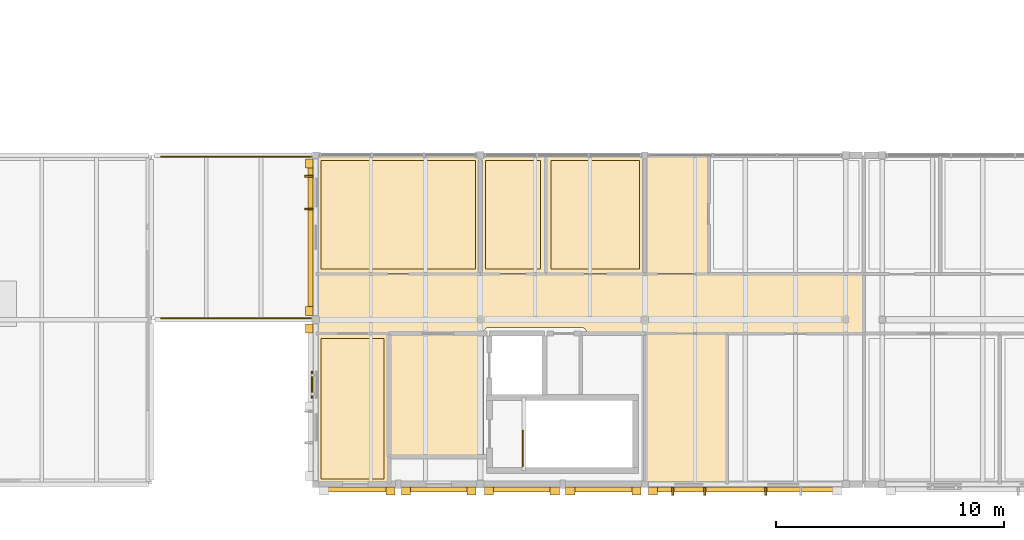
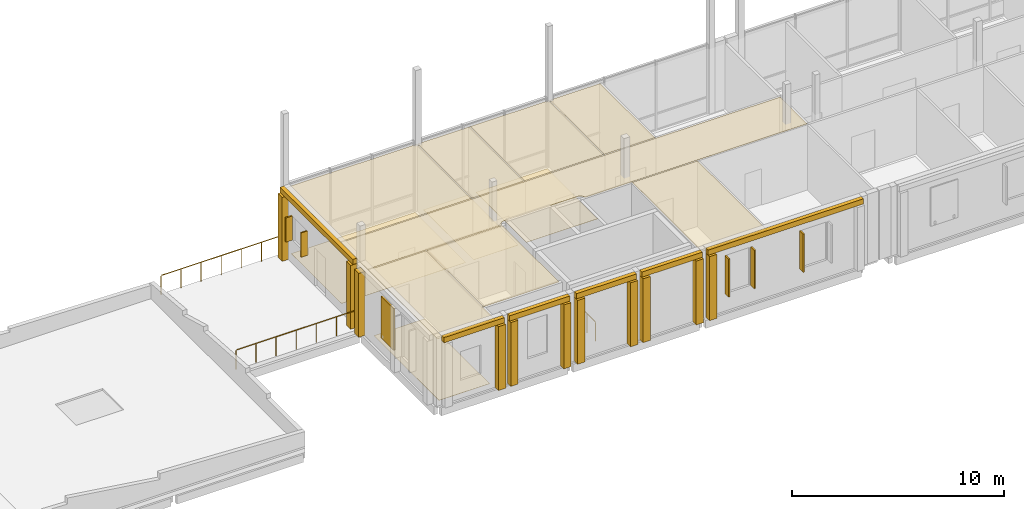
# One storey, part 51 of 57: 29 coverings, 6 shading devices, 3 railings.
"""IFC4 building model written with IfcOpenShell, lengths in metres."""

from ifc_helpers import new_model, si_unit, direction, frame, origin, origin_2d, place, context, subcontext, project, spatial, polyline, rectangle, circle, outline, extrude, material, layer, layer_set, type_object, element, save


model = new_model("IFC4")

# Units and contexts
model_context = context("Model", 3, precision=1e-05, world=origin(), true_north=direction((0.0, 1.0)))
body_context = subcontext(model_context, "Body", "Model", "MODEL_VIEW")
ifc_project = project(units=[si_unit("LENGTHUNIT", "METRE"), si_unit("AREAUNIT", "SQUARE_METRE"), si_unit("VOLUMEUNIT", "CUBIC_METRE"), si_unit("PLANEANGLEUNIT", "RADIAN"), si_unit("MASSUNIT", "GRAM", prefix="KILO")], contexts=[model_context])

# Site, building, storey
site_placement = place(None, origin())
site = spatial("IfcSite", under=ifc_project, at=site_placement, CompositionType="ELEMENT")
building_placement = place(site_placement, origin())
building = spatial("IfcBuilding", under=site, at=building_placement, Name="Hawrajan Terrace Health Centre", CompositionType="ELEMENT")
storey_placement = place(building_placement, frame((0.0, 0.0, 13.199951171875)))
storey = spatial("IfcBuildingStorey", under=building, at=storey_placement, Name="L03", CompositionType="ELEMENT", Elevation=13.199951171875)

# Coverings
ifc_material_1 = material(Name="Precast concrete C40/50", Category="concrete")
ifc_layer_1 = layer(ifc_material_1, 0.219970703125)
ifc_layer_set_1 = layer_set([ifc_layer_1], Name="Precast concrete C40/50")
covering_type_1 = type_object("IfcCoveringType", Name="ArtDecoCorniceBand", PredefinedType="CLADDING", material=ifc_layer_set_1)
covering_1_placement = place(storey_placement, frame((49.610107421875, 3.965087890625, 3.68994140625), z_axis=(0.0, 0.0, 1.0), x_axis=(1.0, 0.0, 0.0)))
element("IfcCovering", 1, at=covering_1_placement, inside=storey, type_object=covering_type_1, Name="Art Deco limestone cornice band CRN-L03-0169", PredefinedType="CLADDING", context=body_context, shape_type="SweptSolid", body=[
    extrude(rectangle(XDim=3.300048828125, YDim=0.219970703125, at=origin_2d()), origin(), (0.0, 0.0, 1.0), 0.300048828125),
])
covering_2_placement = place(storey_placement, frame((53.179931640625, 3.965087890625, 3.68994140625), z_axis=(0.0, 0.0, 1.0), x_axis=(1.0, 0.0, 0.0)))
element("IfcCovering", 2, at=covering_2_placement, inside=storey, type_object=covering_type_1, Name="Art Deco limestone cornice band CRN-L03-0170", PredefinedType="CLADDING", context=body_context, shape_type="SweptSolid", body=[
    extrude(rectangle(XDim=3.280029296875, YDim=0.219970703125, at=origin_2d()), origin(), (0.0, 0.0, 1.0), 0.300048828125),
])
covering_3_placement = place(storey_placement, frame((47.56494140625, 15.010009765625, 3.68994140625), z_axis=(0.0, 0.0, 1.0), x_axis=(0.0, 1.0, 0.0)))
element("IfcCovering", 3, at=covering_3_placement, inside=storey, type_object=covering_type_1, Name="Art Deco limestone cornice band CRN-L03-0172", PredefinedType="CLADDING", context=body_context, shape_type="SweptSolid", body=[
    extrude(rectangle(XDim=6.860107421875, YDim=0.219970703125, at=origin_2d()), origin(), (0.0, 0.0, 1.0), 0.300048828125),
])
covering_4_placement = place(storey_placement, frame((56.820068359375, 3.965087890625, 3.68994140625), z_axis=(0.0, 0.0, 1.0), x_axis=(1.0, 0.0, 0.0)))
element("IfcCovering", 4, at=covering_4_placement, inside=storey, type_object=covering_type_1, Name="Art Deco limestone cornice band CRN-L03-0175", PredefinedType="CLADDING", context=body_context, shape_type="SweptSolid", body=[
    extrude(rectangle(XDim=3.280029296875, YDim=0.219970703125, at=origin_2d()), origin(), (0.0, 0.0, 1.0), 0.300048828125),
])
covering_5_placement = place(storey_placement, frame((60.389892578125, 3.965087890625, 3.68994140625), z_axis=(0.0, 0.0, 1.0), x_axis=(1.0, 0.0, 0.0)))
element("IfcCovering", 5, at=covering_5_placement, inside=storey, type_object=covering_type_1, Name="Art Deco limestone cornice band CRN-L03-0176", PredefinedType="CLADDING", context=body_context, shape_type="SweptSolid", body=[
    extrude(rectangle(XDim=3.300048828125, YDim=0.219970703125, at=origin_2d()), origin(), (0.0, 0.0, 1.0), 0.300048828125),
])
covering_6_placement = place(storey_placement, frame((66.590087890625, 3.965087890625, 3.68994140625), z_axis=(0.0, 0.0, 1.0), x_axis=(1.0, 0.0, 0.0)))
element("IfcCovering", 6, at=covering_6_placement, inside=storey, type_object=covering_type_1, Name="Art Deco limestone cornice band CRN-L03-0181", PredefinedType="CLADDING", context=body_context, shape_type="SweptSolid", body=[
    extrude(rectangle(XDim=8.4599609375, YDim=0.219970703125, at=origin_2d()), origin(), (0.0, 0.0, 1.0), 0.300048828125),
])
ifc_layer_2 = layer(ifc_material_1, 0.340087890625)
ifc_layer_set_2 = layer_set([ifc_layer_2], Name="Precast concrete C40/50")
covering_type_2 = type_object("IfcCoveringType", Name="ArtDecoStonePilaster", PredefinedType="CLADDING", material=ifc_layer_set_2)
for number, where, z_axis, x_axis, name in (
    (7, (51.06005859375, 3.905029296875, 0.0), (0.0, 0.0, 1.0), (1.0, 0.0, 0.0), "Art Deco fluted limestone pilaster FPIL-L03-0335"),
    (8, (51.739990234375, 3.905029296875, 0.0), (0.0, 0.0, 1.0), (1.0, 0.0, 0.0), "Art Deco fluted limestone pilaster FPIL-L03-0336"),
    (9, (54.6201171875, 3.905029296875, 0.0), (0.0, 0.0, 1.0), (1.0, 0.0, 0.0), "Art Deco fluted limestone pilaster FPIL-L03-0337"),
    (10, (47.5048828125, 11.02001953125, 0.0), (0.0, 0.0, 1.0), (0.0, 1.0, 0.0), "Art Deco fluted limestone pilaster FPIL-L03-0339"),
    (11, (47.5048828125, 11.780029296875, 0.0), (0.0, 0.0, 1.0), (0.0, 1.0, 0.0), "Art Deco fluted limestone pilaster FPIL-L03-0341"),
    (12, (47.5048828125, 18.239990234375, 0.0), (0.0, 0.0, 1.0), (0.0, 1.0, 0.0), "Art Deco fluted limestone pilaster FPIL-L03-0342"),
    (13, (55.3798828125, 3.905029296875, 0.0), (0.0, 0.0, 1.0), (1.0, 0.0, 0.0), "Art Deco fluted limestone pilaster FPIL-L03-0347"),
    (14, (58.260009765625, 3.905029296875, 0.0), (0.0, 0.0, 1.0), (1.0, 0.0, 0.0), "Art Deco fluted limestone pilaster FPIL-L03-0348"),
    (15, (58.93994140625, 3.905029296875, 0.0), (0.0, 0.0, 1.0), (1.0, 0.0, 0.0), "Art Deco fluted limestone pilaster FPIL-L03-0349"),
    (16, (61.840087890625, 3.905029296875, 0.0), (0.0, 0.0, 1.0), (1.0, 0.0, 0.0), "Art Deco fluted limestone pilaster FPIL-L03-0350"),
    (17, (62.56005859375, 3.905029296875, 0.0), (0.0, 0.0, 1.0), (1.0, 0.0, 0.0), "Art Deco fluted limestone pilaster FPIL-L03-0360"),
):
    element("IfcCovering", number, at=place(storey_placement, frame(where, z_axis=z_axis, x_axis=x_axis)), inside=storey, type_object=covering_type_2, Name=name, PredefinedType="CLADDING", context=body_context, shape_type="SweptSolid", body=[
        extrude(rectangle(XDim=0.39990234375, YDim=0.340087890625, at=origin_2d()), origin(), (0.0, 0.0, 1.0), 3.679931640625),
    ])
ifc_material_2 = material(Name="Hygienic mineral-fibre acoustic tile ceiling")
ifc_layer_3 = layer(ifc_material_2, 0.02490234375)
ifc_layer_set_3 = layer_set([ifc_layer_3], Name="Hygienic mineral-fibre acoustic tile ceiling")
covering_type_3 = type_object("IfcCoveringType", Name="ClinicalAcousticCeiling_25", PredefinedType="CEILING", material=ifc_layer_set_3)
covering_7_placement = place(storey_placement, frame((0.0, 0.0, 3.72509765625)))
element("IfcCovering", 18, at=covering_7_placement, inside=storey, type_object=covering_type_3, Name="Suspended ceiling L03-014", PredefinedType="CEILING", context=body_context, shape_type="SweptSolid", body=[
    extrude(outline(polyline([(51.02001953125, 5.419921875), (51.02001953125, 10.780029296875), (55.1298828125, 10.780029296875), (55.1298828125, 5.419921875), (51.02001953125, 5.419921875)])), origin(), (0.0, 0.0, 1.0), 0.02490234375),
])
covering_8_placement = place(storey_placement, frame((0.0, 0.0, 3.72509765625)))
element("IfcCovering", 19, at=covering_8_placement, inside=storey, type_object=covering_type_3, Name="Suspended ceiling L03-019", PredefinedType="CEILING", context=body_context, shape_type="SweptSolid", body=[
    extrude(outline(polyline([(47.820068359375, 10.820068359375), (47.820068359375, 13.3798828125), (71.77490234375, 13.3798828125), (71.77490234375, 10.820068359375), (59.6689453125, 10.820068359375), (59.668701171875, 10.825439453125), (59.668701171875, 10.827392578125), (59.6650390625, 10.851806640625), (59.66455078125, 10.853515625), (59.65869140625, 10.87744140625), (59.658203125, 10.87939453125), (59.64990234375, 10.90234375), (59.64892578125, 10.904296875), (59.638671875, 10.926513671875), (59.6376953125, 10.927978515625), (59.625, 10.94921875), (59.623779296875, 10.95068359375), (59.609375, 10.970458984375), (59.608154296875, 10.971923828125), (59.591552734375, 10.990234375), (59.590087890625, 10.99169921875), (59.572021484375, 11.008056640625), (59.570556640625, 11.00927734375), (59.55078125, 11.02392578125), (59.54931640625, 11.02490234375), (59.528076171875, 11.03759765625), (59.5263671875, 11.03857421875), (59.504150390625, 11.049072265625), (59.50244140625, 11.0498046875), (59.479248046875, 11.05810546875), (59.477294921875, 11.05859375), (59.45361328125, 11.064697265625), (59.45166015625, 11.06494140625), (59.427490234375, 11.068603515625), (59.425537109375, 11.06884765625), (59.40087890625, 11.070068359375), (59.39990234375, 11.070068359375), (55.39990234375, 11.070068359375), (55.39892578125, 11.070068359375), (55.37451171875, 11.06884765625), (55.37255859375, 11.068603515625), (55.348388671875, 11.06494140625), (55.346435546875, 11.064697265625), (55.322509765625, 11.05859375), (55.32080078125, 11.05810546875), (55.297607421875, 11.0498046875), (55.2958984375, 11.049072265625), (55.273681640625, 11.03857421875), (55.27197265625, 11.03759765625), (55.250732421875, 11.02490234375), (55.249267578125, 11.02392578125), (55.2294921875, 11.00927734375), (55.22802734375, 11.008056640625), (55.209716796875, 10.99169921875), (55.20849609375, 10.990234375), (55.19189453125, 10.971923828125), (55.190673828125, 10.970458984375), (55.176025390625, 10.95068359375), (55.175048828125, 10.94921875), (55.162353515625, 10.927978515625), (55.161376953125, 10.926513671875), (55.15087890625, 10.904296875), (55.150146484375, 10.90234375), (55.141845703125, 10.87939453125), (55.141357421875, 10.87744140625), (55.135498046875, 10.853515625), (55.135009765625, 10.851806640625), (55.13134765625, 10.827392578125), (55.131103515625, 10.825439453125), (55.131103515625, 10.820068359375), (47.820068359375, 10.820068359375)])), origin(), (0.0, 0.0, 1.0), 0.02490234375),
])
covering_9_placement = place(storey_placement, frame((0.0, 0.0, 3.72509765625)))
element("IfcCovering", 20, at=covering_9_placement, inside=storey, type_object=covering_type_3, Name="Suspended ceiling L03-023", PredefinedType="CEILING", context=body_context, shape_type="SweptSolid", body=[
    extrude(outline(polyline([(62.219970703125, 18.580078125), (64.97998046875, 18.580078125), (64.97998046875, 13.419921875), (62.219970703125, 13.419921875), (62.219970703125, 18.580078125)])), origin(), (0.0, 0.0, 1.0), 0.02490234375),
])
covering_10_placement = place(storey_placement, frame((0.0, 0.0, 3.72509765625)))
element("IfcCovering", 21, at=covering_10_placement, inside=storey, type_object=covering_type_3, Name="Suspended ceiling L03-026", PredefinedType="CEILING", context=body_context, shape_type="SweptSolid", body=[
    extrude(outline(polyline([(62.219970703125, 10.780029296875), (65.780029296875, 10.780029296875), (65.780029296875, 4.219970703125), (62.219970703125, 4.219970703125), (62.219970703125, 10.780029296875)])), origin(), (0.0, 0.0, 1.0), 0.02490234375),
])
covering_11_placement = place(storey_placement, frame((0.0, 0.0, 3.72509765625)))
element("IfcCovering", 22, at=covering_11_placement, inside=storey, type_object=covering_type_3, Name="Suspended ceiling L03-056", PredefinedType="CEILING", context=body_context, shape_type="SweptSolid", body=[
    extrude(outline(polyline([(47.820068359375, 10.780029296875), (50.97998046875, 10.780029296875), (50.97998046875, 4.219970703125), (47.820068359375, 4.219970703125), (47.820068359375, 10.780029296875)])), origin(), (0.0, 0.0, 1.0), 0.02490234375),
])
covering_12_placement = place(storey_placement, frame((0.0, 0.0, 3.72509765625)))
element("IfcCovering", 23, at=covering_12_placement, inside=storey, type_object=covering_type_3, Name="Suspended ceiling L03-057", PredefinedType="CEILING", context=body_context, shape_type="SweptSolid", body=[
    extrude(outline(polyline([(47.820068359375, 18.580078125), (54.97998046875, 18.580078125), (54.97998046875, 13.419921875), (47.820068359375, 13.419921875), (47.820068359375, 18.580078125)])), origin(), (0.0, 0.0, 1.0), 0.02490234375),
])
covering_13_placement = place(storey_placement, frame((0.0, 0.0, 3.72509765625)))
element("IfcCovering", 24, at=covering_13_placement, inside=storey, type_object=covering_type_3, Name="Suspended ceiling L03-058", PredefinedType="CEILING", context=body_context, shape_type="SweptSolid", body=[
    extrude(outline(polyline([(55.02001953125, 18.580078125), (57.845703125, 18.580078125), (57.845703125, 13.419921875), (55.02001953125, 13.419921875), (55.02001953125, 18.580078125)])), origin(), (0.0, 0.0, 1.0), 0.02490234375),
])
covering_14_placement = place(storey_placement, frame((0.0, 0.0, 3.72509765625)))
element("IfcCovering", 25, at=covering_14_placement, inside=storey, type_object=covering_type_3, Name="Suspended ceiling L03-059", PredefinedType="CEILING", context=body_context, shape_type="SweptSolid", body=[
    extrude(outline(polyline([(57.885498046875, 18.580078125), (62.179931640625, 18.580078125), (62.179931640625, 13.419921875), (57.885498046875, 13.419921875), (57.885498046875, 18.580078125)])), origin(), (0.0, 0.0, 1.0), 0.02490234375),
])
ifc_material_3 = material(Name="Seamless medical-grade cushioned vinyl flooring")
ifc_layer_4 = layer(ifc_material_3, 0.011962890625)
ifc_layer_set_4 = layer_set([ifc_layer_4], Name="Seamless medical-grade cushioned vinyl flooring")
covering_type_4 = type_object("IfcCoveringType", Name="ClinicalVinylFlooring_12", PredefinedType="FLOORING", material=ifc_layer_set_4)
covering_15_placement = place(storey_placement, origin())
element("IfcCovering", 26, at=covering_15_placement, inside=storey, type_object=covering_type_4, Name="Floor finish L03-056", PredefinedType="FLOORING", context=body_context, shape_type="SweptSolid", body=[
    extrude(outline(polyline([(48.02001953125, 10.580078125), (50.780029296875, 10.580078125), (50.780029296875, 4.419921875), (48.02001953125, 4.419921875), (48.02001953125, 10.580078125)])), origin(), (0.0, 0.0, 1.0), 0.011962890625),
])
covering_16_placement = place(storey_placement, origin())
element("IfcCovering", 27, at=covering_16_placement, inside=storey, type_object=covering_type_4, Name="Floor finish L03-057", PredefinedType="FLOORING", context=body_context, shape_type="SweptSolid", body=[
    extrude(outline(polyline([(48.02001953125, 18.3798828125), (54.780029296875, 18.3798828125), (54.780029296875, 13.6201171875), (48.02001953125, 13.6201171875), (48.02001953125, 18.3798828125)])), origin(), (0.0, 0.0, 1.0), 0.011962890625),
])
covering_17_placement = place(storey_placement, origin())
element("IfcCovering", 28, at=covering_17_placement, inside=storey, type_object=covering_type_4, Name="Floor finish L03-058", PredefinedType="FLOORING", context=body_context, shape_type="SweptSolid", body=[
    extrude(outline(polyline([(55.219970703125, 18.3798828125), (57.6455078125, 18.3798828125), (57.6455078125, 13.6201171875), (55.219970703125, 13.6201171875), (55.219970703125, 18.3798828125)])), origin(), (0.0, 0.0, 1.0), 0.011962890625),
])
covering_18_placement = place(storey_placement, origin())
element("IfcCovering", 29, at=covering_18_placement, inside=storey, type_object=covering_type_4, Name="Floor finish L03-059", PredefinedType="FLOORING", context=body_context, shape_type="SweptSolid", body=[
    extrude(outline(polyline([(58.085693359375, 18.3798828125), (61.97998046875, 18.3798828125), (61.97998046875, 13.6201171875), (58.085693359375, 13.6201171875), (58.085693359375, 18.3798828125)])), origin(), (0.0, 0.0, 1.0), 0.011962890625),
])

# Shading devices
ifc_material_4 = material(Name="Anodized bronze mashrabiya vertical solar fin")
ifc_layer_5 = layer(ifc_material_4, 0.080078125)
ifc_layer_set_5 = layer_set([ifc_layer_5], Name="Anodized bronze mashrabiya vertical solar fin")
shading_device_type_1 = type_object("IfcShadingDeviceType", Name="MashrabiyaVerticalFin", PredefinedType="USERDEFINED", material=ifc_layer_set_5)
for number, where, z_axis, x_axis, name in (
    (30, (47.4951171875, 16.25244140625, 1.35009765625), (0.0, 0.0, 1.0), (0.0, 1.0, 0.0), "Bronze mashrabiya solar fin FIN-L03-0223"),
    (31, (47.4951171875, 17.6826171875, 1.35009765625), (0.0, 0.0, 1.0), (0.0, 1.0, 0.0), "Bronze mashrabiya solar fin FIN-L03-0224"),
):
    element("IfcShadingDevice", number, at=place(storey_placement, frame(where, z_axis=z_axis, x_axis=x_axis)), inside=storey, type_object=shading_device_type_1, Name=name, ObjectType="SOLAR_FIN", PredefinedType="USERDEFINED", context=body_context, shape_type="SweptSolid", body=[
        extrude(rectangle(XDim=0.080078125, YDim=0.360107421875, at=origin_2d()), origin(), (0.0, 0.0, 1.0), 1.39990234375),
    ])
for number, where, z_axis, x_axis, name in (
    (32, (63.429931640625, 3.89501953125, 1.0), (0.0, 0.0, 1.0), (1.0, 0.0, 0.0), "Bronze mashrabiya solar fin FIN-L03-0230"),
    (33, (64.830078125, 3.89501953125, 1.0), (0.0, 0.0, 1.0), (1.0, 0.0, 0.0), "Bronze mashrabiya solar fin FIN-L03-0231"),
    (34, (67.4951171875, 3.89501953125, 1.0), (0.0, 0.0, 1.0), (1.0, 0.0, 0.0), "Bronze mashrabiya solar fin FIN-L03-0232"),
):
    element("IfcShadingDevice", number, at=place(storey_placement, frame(where, z_axis=z_axis, x_axis=x_axis)), inside=storey, type_object=shading_device_type_1, Name=name, ObjectType="SOLAR_FIN", PredefinedType="USERDEFINED", context=body_context, shape_type="SweptSolid", body=[
        extrude(rectangle(XDim=0.080078125, YDim=0.360107421875, at=origin_2d()), origin(), (0.0, 0.0, 1.0), 2.199951171875),
    ])
ifc_material_5 = material(Name="Anodized bronze and cedar roshan lattice")
ifc_layer_6 = layer(ifc_material_5, 0.080078125)
ifc_layer_set_6 = layer_set([ifc_layer_6], Name="Anodized bronze and cedar roshan lattice")
shading_device_type_2 = type_object("IfcShadingDeviceType", Name="RoshanScreen_BronzeCedar", PredefinedType="JALOUSIE", material=ifc_layer_set_6)
shading_device_placement = place(storey_placement, frame((47.6298828125, 8.56005859375, 0.900146484375), z_axis=(0.0, 0.0, 1.0), x_axis=(0.0, 1.0, 0.0)))
element("IfcShadingDevice", 35, at=shading_device_placement, inside=storey, type_object=shading_device_type_2, Name="Hijazi roshan solar screen RSH-L03-222", PredefinedType="JALOUSIE", context=body_context, shape_type="SweptSolid", body=[
    extrude(rectangle(XDim=1.179931640625, YDim=0.080078125, at=origin_2d()), origin(), (0.0, 0.0, 1.0), 2.39990234375),
])

# Railings
ifc_material_6 = material(Name="Painted steel stair well guard", Category="steel")
railing_type_1 = type_object("IfcRailingType", Name="StairWellGuard_1120", PredefinedType="GUARDRAIL", material=ifc_material_6)
railing_1_placement = place(storey_placement, frame((56.860107421875, 4.97998046875, 0.0)))
element("IfcRailing", 36, at=railing_1_placement, inside=storey, type_object=railing_type_1, Name="Stair top well guard ST-4", PredefinedType="GUARDRAIL", context=body_context, shape_type="SweptSolid", body=[
    extrude(circle(Radius=0.02392578125, at=origin_2d()), frame((0.0, 0.02880859375, 1.09619140625), z_axis=(0.0, 1.0, 0.0), x_axis=(-1.0, 0.0, 0.0)), (0.0, 0.0, 1.0), 1.50244140625),
    extrude(circle(Radius=0.02099609375, at=origin_2d()), origin(), (0.0, 0.0, 1.0), 1.067138671875),
    extrude(circle(Radius=0.02099609375, at=origin_2d()), frame((0.0, 0.780029296875, 0.0)), (0.0, 0.0, 1.0), 1.067138671875),
    extrude(circle(Radius=0.02099609375, at=origin_2d()), frame((0.0, 1.56005859375, 0.0)), (0.0, 0.0, 1.0), 1.067138671875),
])
ifc_material_7 = material(Name="Anodized bronze post and balustrade guard")
railing_type_2 = type_object("IfcRailingType", Name="TerraceGuard_1120", PredefinedType="GUARDRAIL", material=ifc_material_7)
railing_2_placement = place(storey_placement, frame((47.580078125, 11.4599609375, 0.0)))
element("IfcRailing", 37, at=railing_2_placement, inside=storey, type_object=railing_type_2, Name="Terrace perimeter guard L03-009", PredefinedType="GUARDRAIL", context=body_context, shape_type="SweptSolid", body=[
    extrude(circle(Radius=0.02392578125, at=origin_2d()), frame((-0.02880859375, 0.0, 1.09619140625), z_axis=(-1.0, 0.0, 0.0), x_axis=(0.0, -1.0, 0.0)), (0.0, 0.0, 1.0), 6.50244140625),
    extrude(circle(Radius=0.02099609375, at=origin_2d()), origin(), (0.0, 0.0, 1.0), 1.067138671875),
    extrude(circle(Radius=0.02099609375, at=origin_2d()), frame((-1.09326171875, 0.0, 0.0)), (0.0, 0.0, 1.0), 1.067138671875),
    extrude(circle(Radius=0.02099609375, at=origin_2d()), frame((-2.186767578125, 0.0, 0.0)), (0.0, 0.0, 1.0), 1.067138671875),
    extrude(circle(Radius=0.02099609375, at=origin_2d()), frame((-3.280029296875, 0.0, 0.0)), (0.0, 0.0, 1.0), 1.067138671875),
    extrude(circle(Radius=0.02099609375, at=origin_2d()), frame((-4.373291015625, 0.0, 0.0)), (0.0, 0.0, 1.0), 1.067138671875),
    extrude(circle(Radius=0.02099609375, at=origin_2d()), frame((-5.466796875, 0.0, 0.0)), (0.0, 0.0, 1.0), 1.067138671875),
    extrude(circle(Radius=0.02099609375, at=origin_2d()), frame((-6.56005859375, 0.0, 0.0)), (0.0, 0.0, 1.0), 1.067138671875),
])
railing_3_placement = place(storey_placement, frame((41.02001953125, 18.5400390625, 0.0)))
element("IfcRailing", 38, at=railing_3_placement, inside=storey, type_object=railing_type_2, Name="Terrace perimeter guard L03-010", PredefinedType="GUARDRAIL", context=body_context, shape_type="SweptSolid", body=[
    extrude(circle(Radius=0.02392578125, at=origin_2d()), frame((0.02880859375, 0.0, 1.09619140625), z_axis=(1.0, 0.0, 0.0), x_axis=(0.0, 1.0, 0.0)), (0.0, 0.0, 1.0), 6.50244140625),
    extrude(circle(Radius=0.02099609375, at=origin_2d()), origin(), (0.0, 0.0, 1.0), 1.067138671875),
    extrude(circle(Radius=0.02099609375, at=origin_2d()), frame((1.09326171875, 0.0, 0.0)), (0.0, 0.0, 1.0), 1.067138671875),
    extrude(circle(Radius=0.02099609375, at=origin_2d()), frame((2.186767578125, 0.0, 0.0)), (0.0, 0.0, 1.0), 1.067138671875),
    extrude(circle(Radius=0.02099609375, at=origin_2d()), frame((3.280029296875, 0.0, 0.0)), (0.0, 0.0, 1.0), 1.067138671875),
    extrude(circle(Radius=0.02099609375, at=origin_2d()), frame((4.373291015625, 0.0, 0.0)), (0.0, 0.0, 1.0), 1.067138671875),
    extrude(circle(Radius=0.02099609375, at=origin_2d()), frame((5.466796875, 0.0, 0.0)), (0.0, 0.0, 1.0), 1.067138671875),
    extrude(circle(Radius=0.02099609375, at=origin_2d()), frame((6.56005859375, 0.0, 0.0)), (0.0, 0.0, 1.0), 1.067138671875),
])

save(model, "model.ifc")
